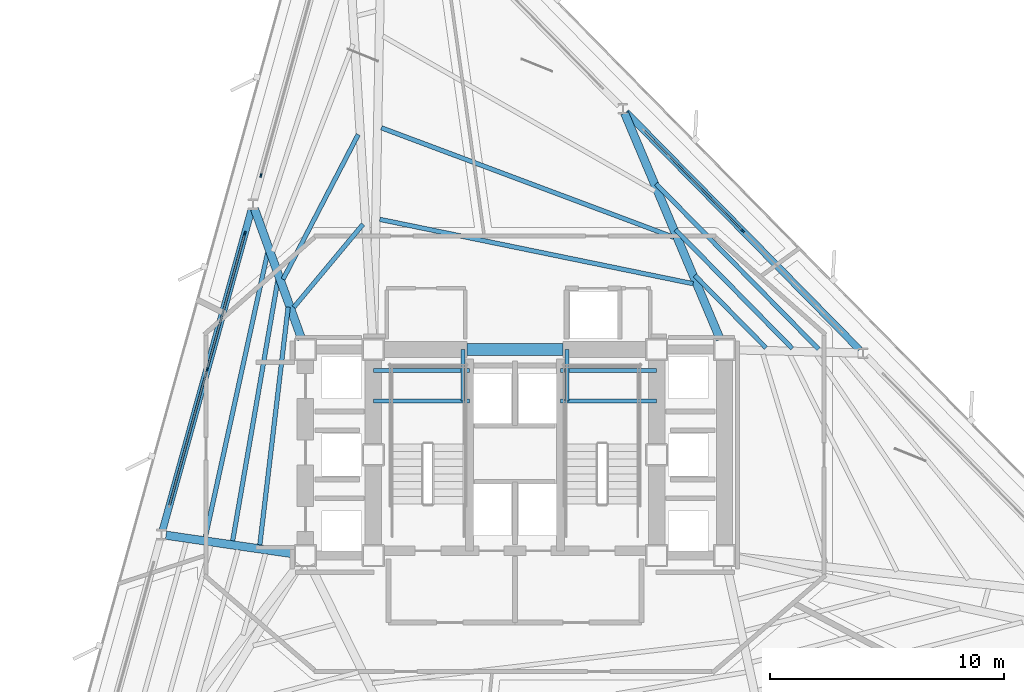
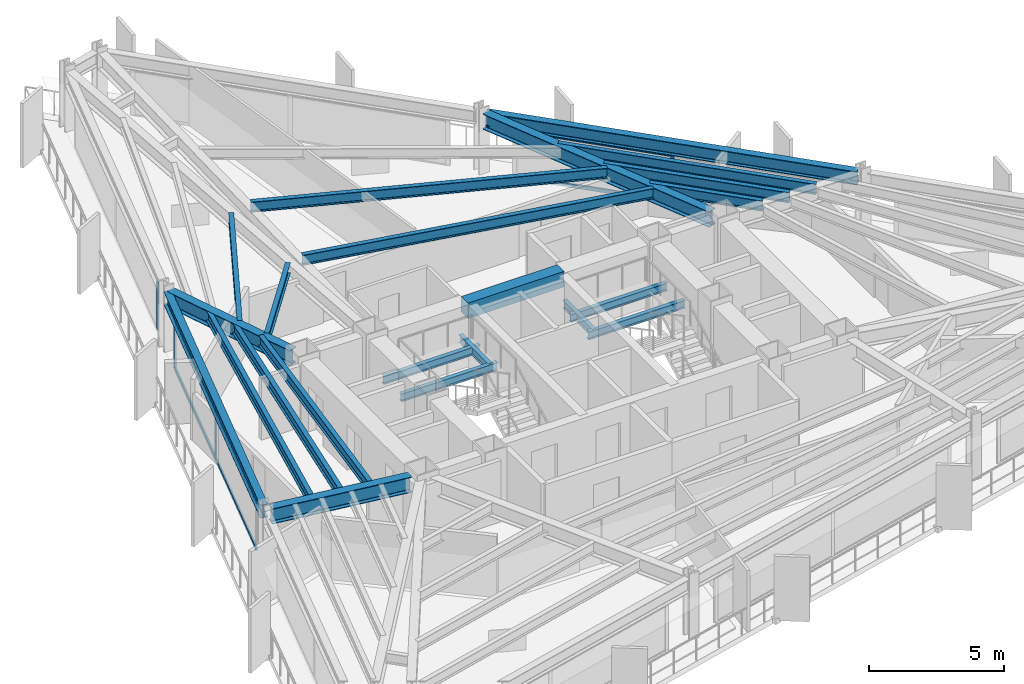
# One storey, part 3 of 11: 22 beams, 10 members, 3 elements without a shape of their own.
"""IFC4 building model written with IfcOpenShell, lengths in metres."""

from ifc_helpers import new_model, si_unit, direction, frame, origin, origin_2d, place, context, subcontext, project, spatial, rectangle, i_section, extrude, material, layer, layer_set, material_profile, profile_set, type_object, element, aggregate, save


model = new_model("IFC4")

# Units and contexts
model_context = context("Model", 3, precision=1e-05, world=origin(), true_north=direction((0.0, 1.0)))
body_context = subcontext(model_context, "Body", "Model", "MODEL_VIEW")
ifc_project = project(units=[si_unit("LENGTHUNIT", "METRE"), si_unit("AREAUNIT", "SQUARE_METRE"), si_unit("VOLUMEUNIT", "CUBIC_METRE"), si_unit("PLANEANGLEUNIT", "RADIAN"), si_unit("MASSUNIT", "GRAM", prefix="KILO")], contexts=[model_context])

# Site, building, storey
site_placement = place(None, origin())
site = spatial("IfcSite", under=ifc_project, at=site_placement, CompositionType="ELEMENT")
building_placement = place(site_placement, origin())
building = spatial("IfcBuilding", under=site, at=building_placement, Name="Rocaltana Carrier Exchange", CompositionType="ELEMENT")
storey_placement = place(building_placement, frame((0.0, 0.0, 85.60009765625)))
storey = spatial("IfcBuildingStorey", under=building, at=storey_placement, Name="L26", CompositionType="ELEMENT", Elevation=85.60009765625)

# Curtain wall, member
ifc_material_1 = material(Name="Aluminium 6063-T6", Category="aluminium")
ifc_layer = layer(ifc_material_1, 0.1650390625)
ifc_layer_set = layer_set([ifc_layer], Name="Aluminium 6063-T6")
curtain_wall_type = type_object("IfcCurtainWallType", Name="Lower-Mid Stepped Curtain Wall CW-02", PredefinedType="NOTDEFINED", material=ifc_layer_set)
curtain_wall_1_placement = place(storey_placement, origin())
curtain_wall_1 = element("IfcCurtainWall", 1, at=curtain_wall_1_placement, inside=storey, type_object=curtain_wall_type, Name="L26 CW-02 Run CW-L26-F1S2", PredefinedType="NOTDEFINED")
ifc_material_2 = material(Name="Aluminium 6063-T6", Category="aluminium")
ifc_material_profile_1 = material_profile(ifc_material_2, rectangle(XDim=0.06494140625, YDim=0.1650390625, at=origin_2d()), Name="AL-65X165")
ifc_profile_set_1 = profile_set([ifc_material_profile_1], Name="Aluminium 6063-T6")
member_type_1 = type_object("IfcMemberType", Name="CW-02 Mullion AL-65X165", PredefinedType="MULLION", material=ifc_profile_set_1)
member_1_placement = place(storey_placement, frame((9.732666015625, 9.564453125, 0.0), z_axis=(0.0, 0.0, 1.0), x_axis=(-0.713244696676, -0.700915118017, 0.0)))
member_1 = element("IfcMember", 2, at=member_1_placement, type_object=member_type_1, Name="CW-02 mullion 2", PredefinedType="MULLION", context=body_context, shape_type="SweptSolid", body=[
    extrude(rectangle(XDim=0.06494140625, YDim=0.1650390625, at=origin_2d()), origin(), (0.0, 0.0, 1.0), 2.16796875),
])

curtain_wall_2_placement = place(storey_placement, origin())
curtain_wall_2 = element("IfcCurtainWall", 3, at=curtain_wall_2_placement, inside=storey, type_object=curtain_wall_type, Name="L26 CW-02 Run CW-L26-F2S1", PredefinedType="NOTDEFINED")
member_2_placement = place(storey_placement, frame((-10.851318359375, 11.93310546875, 0.0), z_axis=(0.0, 0.0, 1.0), x_axis=(0.96362846453, -0.267245546918, 0.0)))
member_2 = element("IfcMember", 4, at=member_2_placement, type_object=member_type_1, Name="CW-02 mullion 3", PredefinedType="MULLION", context=body_context, shape_type="SweptSolid", body=[
    extrude(rectangle(XDim=0.06494140625, YDim=0.1650390625, at=origin_2d()), origin(), (0.0, 0.0, 1.0), 2.16796875),
])
aggregate(curtain_wall_2, [member_2])

# Curtain wall, members
curtain_wall_3_placement = place(storey_placement, origin())
curtain_wall_3 = element("IfcCurtainWall", 5, at=curtain_wall_3_placement, inside=storey, type_object=curtain_wall_type, Name="L26 CW-02 Run CW-L26-F2S2", PredefinedType="NOTDEFINED")
member_3_placement = place(storey_placement, frame((-11.536865234375, 9.46142578125, 0.0), z_axis=(0.0, 0.0, 1.0), x_axis=(0.963630586954, -0.267237893807, 0.0)))
member_3 = element("IfcMember", 6, at=member_3_placement, type_object=member_type_1, Name="CW-02 mullion 1", PredefinedType="MULLION", context=body_context, shape_type="SweptSolid", body=[
    extrude(rectangle(XDim=0.06494140625, YDim=0.1650390625, at=origin_2d()), origin(), (0.0, 0.0, 1.0), 2.16796875),
])
member_4_placement = place(storey_placement, frame((-13.1494140625, 3.646728515625, 0.0), z_axis=(0.0, 0.0, 1.0), x_axis=(0.963630586954, -0.267237893807, 0.0)))
member_4 = element("IfcMember", 7, at=member_4_placement, type_object=member_type_1, Name="CW-02 mullion 2", PredefinedType="MULLION", context=body_context, shape_type="SweptSolid", body=[
    extrude(rectangle(XDim=0.06494140625, YDim=0.1650390625, at=origin_2d()), origin(), (0.0, 0.0, 1.0), 2.16796875),
])

# Member
ifc_material_3 = material(Name="Aluminium 6063-T6", Category="aluminium")
ifc_material_profile_2 = material_profile(ifc_material_3, rectangle(XDim=0.06494140625, YDim=0.1650390625, at=origin_2d()), Name="AL-65X165")
ifc_profile_set_2 = profile_set([ifc_material_profile_2], Name="Aluminium 6063-T6")
member_type_2 = type_object("IfcMemberType", Name="CW-02 Transom AL-65X165", PredefinedType="USERDEFINED", material=ifc_profile_set_2)
member_5_placement = place(storey_placement, frame((9.7099609375, 9.587646484375, 0.032470703125), z_axis=(-0.700924352217, 0.713235621985, 0.0), x_axis=(-0.713235621985, -0.700924352217, 0.0)))
member_5 = element("IfcMember", 8, at=member_5_placement, type_object=member_type_2, Name="CW-02 transom 2.1", ObjectType="TRANSOM", PredefinedType="USERDEFINED", context=body_context, shape_type="SweptSolid", body=[
    extrude(rectangle(XDim=0.06494140625, YDim=0.1650390625, at=origin_2d()), origin(), (0.0, 0.0, 1.0), 5.968994140625),
])

member_6_placement = place(storey_placement, frame((9.7099609375, 9.587646484375, 2.135498046875), z_axis=(-0.700924352217, 0.713235621985, 0.0), x_axis=(-0.713235621985, -0.700924352217, 0.0)))
member_6 = element("IfcMember", 9, at=member_6_placement, type_object=member_type_2, Name="CW-02 transom 2.2", ObjectType="TRANSOM", PredefinedType="USERDEFINED", context=body_context, shape_type="SweptSolid", body=[
    extrude(rectangle(XDim=0.06494140625, YDim=0.1650390625, at=origin_2d()), origin(), (0.0, 0.0, 1.0), 5.968994140625),
])

aggregate(curtain_wall_1, [member_1, member_5, member_6])

member_7_placement = place(storey_placement, frame((-11.54541015625, 9.43017578125, 0.032470703125), z_axis=(-0.267236720875, -0.963630912235, 0.0), x_axis=(0.963630912235, -0.267236720875, 0.0)))
member_7 = element("IfcMember", 10, at=member_7_placement, type_object=member_type_2, Name="CW-02 transom 1.1", ObjectType="TRANSOM", PredefinedType="USERDEFINED", context=body_context, shape_type="SweptSolid", body=[
    extrude(rectangle(XDim=0.06494140625, YDim=0.1650390625, at=origin_2d()), origin(), (0.0, 0.0, 1.0), 5.96923828125),
])

member_8_placement = place(storey_placement, frame((-11.54541015625, 9.43017578125, 2.135498046875), z_axis=(-0.267236720875, -0.963630912235, 0.0), x_axis=(0.963630912235, -0.267236720875, 0.0)))
member_8 = element("IfcMember", 11, at=member_8_placement, type_object=member_type_2, Name="CW-02 transom 1.2", ObjectType="TRANSOM", PredefinedType="USERDEFINED", context=body_context, shape_type="SweptSolid", body=[
    extrude(rectangle(XDim=0.06494140625, YDim=0.1650390625, at=origin_2d()), origin(), (0.0, 0.0, 1.0), 5.96923828125),
])

member_9_placement = place(storey_placement, frame((-13.157958984375, 3.615234375, 0.032470703125), z_axis=(-0.26724725359, -0.963627991213, 0.0), x_axis=(0.963627991213, -0.26724725359, 0.0)))
member_9 = element("IfcMember", 12, at=member_9_placement, type_object=member_type_2, Name="CW-02 transom 2.1", ObjectType="TRANSOM", PredefinedType="USERDEFINED", context=body_context, shape_type="SweptSolid", body=[
    extrude(rectangle(XDim=0.06494140625, YDim=0.1650390625, at=origin_2d()), origin(), (0.0, 0.0, 1.0), 5.968994140625),
])

member_10_placement = place(storey_placement, frame((-13.157958984375, 3.615234375, 2.135498046875), z_axis=(-0.26724725359, -0.963627991213, 0.0), x_axis=(0.963627991213, -0.26724725359, 0.0)))
member_10 = element("IfcMember", 13, at=member_10_placement, type_object=member_type_2, Name="CW-02 transom 2.2", ObjectType="TRANSOM", PredefinedType="USERDEFINED", context=body_context, shape_type="SweptSolid", body=[
    extrude(rectangle(XDim=0.06494140625, YDim=0.1650390625, at=origin_2d()), origin(), (0.0, 0.0, 1.0), 5.968994140625),
])

aggregate(curtain_wall_3, [member_3, member_4, member_7, member_8, member_9, member_10])

# Beams
ifc_material_4 = material(Name="Concrete C60/75", Category="concrete")
ifc_material_profile_3 = material_profile(ifc_material_4, rectangle(XDim=0.5, YDim=0.699951171875, at=origin_2d()), Name="RC-BM-500X700")
ifc_profile_set_3 = profile_set([ifc_material_profile_3], Name="Concrete C60/75")
beam_type_1 = type_object("IfcBeamType", Name="Core Coupling Lintel 500x700", PredefinedType="LINTEL", material=ifc_profile_set_3)
beam_1_placement = place(storey_placement, frame((-2.050048828125, 4.5, 2.43798828125), z_axis=(1.0, 0.0, 0.0), x_axis=(0.0, 1.0, 0.0)))
element("IfcBeam", 14, at=beam_1_placement, inside=storey, type_object=beam_type_1, Name="L26 Core Coupling Lintel CL-N", PredefinedType="LINTEL", context=body_context, shape_type="SweptSolid", body=[
    extrude(rectangle(XDim=0.5, YDim=0.699951171875, at=origin_2d()), origin(), (0.0, 0.0, 1.0), 4.10009765625),
])
ifc_material_5 = material(Name="Steel S355", Category="steel")
ifc_material_profile_4 = material_profile(ifc_material_5, i_section(OverallWidth=0.172119140625, OverallDepth=0.35791015625, WebThickness=0.0078125, FlangeThickness=0.01318359375, FilletRadius=0.011962890625, at=origin_2d()), Name="W14X38")
ifc_profile_set_4 = profile_set([ifc_material_profile_4], Name="Steel S355")
beam_type_2 = type_object("IfcBeamType", Name="Floor Joist W14X38", PredefinedType="JOIST", material=ifc_profile_set_4)
for number, where, z_axis, x_axis, name in (
    (15, (-6.050048828125, 2.300048828125, 1.140869140625), (1.0, 0.0, 0.0), (0.0, 1.0, 0.0), "L26 ST-1 Landing Carrier 1"),
    (16, (1.93994140625, 2.300048828125, 1.140869140625), (1.0, 0.0, 0.0), (0.0, 1.0, 0.0), "L26 ST-2 Landing Carrier 1"),
    (17, (-6.050048828125, 3.60009765625, 1.140869140625), (1.0, 0.0, 0.0), (0.0, 1.0, 0.0), "L26 ST-1 Landing Carrier 2"),
    (18, (1.93994140625, 3.60009765625, 1.140869140625), (1.0, 0.0, 0.0), (0.0, 1.0, 0.0), "L26 ST-2 Landing Carrier 2"),
):
    element("IfcBeam", number, at=place(storey_placement, frame(where, z_axis=z_axis, x_axis=x_axis)), inside=storey, type_object=beam_type_2, Name=name, PredefinedType="JOIST", context=body_context, shape_type="SweptSolid", body=[
        extrude(i_section(OverallWidth=0.172119140625, OverallDepth=0.35791015625, WebThickness=0.0078125, FlangeThickness=0.01318359375, FilletRadius=0.011962890625, at=origin_2d()), origin(), (0.0, 0.0, 1.0), 4.110107421875),
    ])
for number, where, z_axis, x_axis, name in (
    (19, (-2.219970703125, 2.300048828125, 1.140869140625), (0.0, 1.0, 0.0), (-1.0, 0.0, 0.0), "L26 ST-1 Landing Cross Trimmer"),
    (20, (2.219970703125, 2.300048828125, 1.140869140625), (0.0, 1.0, 0.0), (-1.0, 0.0, 0.0), "L26 ST-2 Landing Cross Trimmer"),
):
    element("IfcBeam", number, at=place(storey_placement, frame(where, z_axis=z_axis, x_axis=x_axis)), inside=storey, type_object=beam_type_2, Name=name, PredefinedType="JOIST", context=body_context, shape_type="SweptSolid", body=[
        extrude(i_section(OverallWidth=0.172119140625, OverallDepth=0.35791015625, WebThickness=0.0078125, FlangeThickness=0.01318359375, FilletRadius=0.011962890625, at=origin_2d()), origin(), (0.0, 0.0, 1.0), 2.199951171875),
    ])
ifc_material_6 = material(Name="Steel S355", Category="steel")
ifc_material_profile_5 = material_profile(ifc_material_6, i_section(OverallWidth=0.193115234375, OverallDepth=0.466064453125, WebThickness=0.011474609375, FlangeThickness=0.01904296875, FilletRadius=0.013916015625, at=origin_2d()), Name="W18X65")
ifc_profile_set_5 = profile_set([ifc_material_profile_5], Name="Steel S355")
beam_type_3 = type_object("IfcBeamType", Name="Floor Joist W18X65", PredefinedType="JOIST", material=ifc_profile_set_5)
beam_2_placement = place(storey_placement, frame((10.72119140625, 4.572998046875, 2.554931640625), z_axis=(-0.700891063864, 0.713268334216, 0.0), x_axis=(-0.713268334216, -0.700891063864, 0.0)))
element("IfcBeam", 21, at=beam_2_placement, inside=storey, type_object=beam_type_3, Name="FJ-L26-02-1", PredefinedType="JOIST", context=body_context, shape_type="SweptSolid", body=[
    extrude(i_section(OverallWidth=0.193115234375, OverallDepth=0.466064453125, WebThickness=0.011474609375, FlangeThickness=0.01904296875, FilletRadius=0.013916015625, at=origin_2d()), origin(), (0.0, 0.0, 1.0), 4.339599609375),
])
beam_3_placement = place(storey_placement, frame((11.844482421875, 4.543701171875, 2.554931640625), z_axis=(-0.700907768136, 0.713251919427, 0.0), x_axis=(-0.713251919427, -0.700907768136, 0.0)))
element("IfcBeam", 22, at=beam_3_placement, inside=storey, type_object=beam_type_3, Name="FJ-L26-02-2", PredefinedType="JOIST", context=body_context, shape_type="SweptSolid", body=[
    extrude(i_section(OverallWidth=0.193115234375, OverallDepth=0.466064453125, WebThickness=0.011474609375, FlangeThickness=0.01904296875, FilletRadius=0.013916015625, at=origin_2d()), origin(), (0.0, 0.0, 1.0), 7.1201171875),
])
beam_4_placement = place(storey_placement, frame((12.967529296875, 4.514404296875, 2.554931640625), z_axis=(-0.700914872746, 0.713244937706, 0.0), x_axis=(-0.713244937706, -0.700914872746, 0.0)))
element("IfcBeam", 23, at=beam_4_placement, inside=storey, type_object=beam_type_3, Name="FJ-L26-02-3", PredefinedType="JOIST", context=body_context, shape_type="SweptSolid", body=[
    extrude(i_section(OverallWidth=0.193115234375, OverallDepth=0.466064453125, WebThickness=0.011474609375, FlangeThickness=0.01904296875, FilletRadius=0.013916015625, at=origin_2d()), origin(), (0.0, 0.0, 1.0), 9.900146484375),
])
beam_5_placement = place(storey_placement, frame((7.608642578125, 7.310791015625, 2.554931640625), z_axis=(-0.979548911699, 0.201206186758, 0.0), x_axis=(-0.201206186758, -0.979548911699, 0.0)))
element("IfcBeam", 24, at=beam_5_placement, inside=storey, type_object=beam_type_3, Name="FJ-L26-03-1", PredefinedType="JOIST", context=body_context, shape_type="SweptSolid", body=[
    extrude(i_section(OverallWidth=0.193115234375, OverallDepth=0.466064453125, WebThickness=0.011474609375, FlangeThickness=0.01904296875, FilletRadius=0.013916015625, at=origin_2d()), origin(), (0.0, 0.0, 1.0), 13.66259765625),
])
beam_6_placement = place(storey_placement, frame((6.790283203125, 9.290283203125, 2.554931640625), z_axis=(-0.936459936045, 0.35077455464, 0.0), x_axis=(-0.35077455464, -0.936459936045, 0.0)))
element("IfcBeam", 25, at=beam_6_placement, inside=storey, type_object=beam_type_3, Name="FJ-L26-03-2", PredefinedType="JOIST", context=body_context, shape_type="SweptSolid", body=[
    extrude(i_section(OverallWidth=0.193115234375, OverallDepth=0.466064453125, WebThickness=0.011474609375, FlangeThickness=0.01904296875, FilletRadius=0.013916015625, at=origin_2d()), origin(), (0.0, 0.0, 1.0), 13.344482421875),
])
beam_7_placement = place(storey_placement, frame((-6.492919921875, 9.848876953125, 2.554931640625), z_axis=(-0.640163577039, -0.768238631307, 0.0), x_axis=(0.768238631307, -0.640163577039, 0.0)))
element("IfcBeam", 26, at=beam_7_placement, inside=storey, type_object=beam_type_3, Name="FJ-L26-05-1", PredefinedType="JOIST", context=body_context, shape_type="SweptSolid", body=[
    extrude(i_section(OverallWidth=0.193115234375, OverallDepth=0.466064453125, WebThickness=0.011474609375, FlangeThickness=0.01904296875, FilletRadius=0.013916015625, at=origin_2d()), origin(), (0.0, 0.0, 1.0), 4.613037109375),
])
beam_8_placement = place(storey_placement, frame((-6.6962890625, 13.68505859375, 2.554931640625), z_axis=(-0.46048496637, -0.887667502924, 0.0), x_axis=(0.887667502924, -0.46048496637, 0.0)))
element("IfcBeam", 27, at=beam_8_placement, inside=storey, type_object=beam_type_3, Name="FJ-L26-05-2", PredefinedType="JOIST", context=body_context, shape_type="SweptSolid", body=[
    extrude(i_section(OverallWidth=0.193115234375, OverallDepth=0.466064453125, WebThickness=0.011474609375, FlangeThickness=0.01904296875, FilletRadius=0.013916015625, at=origin_2d()), origin(), (0.0, 0.0, 1.0), 6.96435546875),
])
beam_9_placement = place(storey_placement, frame((-9.6884765625, 6.312744140625, 2.554931640625), z_axis=(-0.118374284941, -0.992969047184, 0.0), x_axis=(0.992969047184, -0.118374284941, 0.0)))
element("IfcBeam", 28, at=beam_9_placement, inside=storey, type_object=beam_type_3, Name="FJ-L26-06-1", PredefinedType="JOIST", context=body_context, shape_type="SweptSolid", body=[
    extrude(i_section(OverallWidth=0.193115234375, OverallDepth=0.466064453125, WebThickness=0.011474609375, FlangeThickness=0.01904296875, FilletRadius=0.013916015625, at=origin_2d()), origin(), (0.0, 0.0, 1.0), 10.227783203125),
])
beam_10_placement = place(storey_placement, frame((-10.123779296875, 7.49169921875, 2.554931640625), z_axis=(-0.170820187973, -0.985302219312, 0.0), x_axis=(0.985302219312, -0.170820187973, 0.0)))
element("IfcBeam", 29, at=beam_10_placement, inside=storey, type_object=beam_type_3, Name="FJ-L26-06-2", PredefinedType="JOIST", context=body_context, shape_type="SweptSolid", body=[
    extrude(i_section(OverallWidth=0.193115234375, OverallDepth=0.466064453125, WebThickness=0.011474609375, FlangeThickness=0.01904296875, FilletRadius=0.013916015625, at=origin_2d()), origin(), (0.0, 0.0, 1.0), 11.332275390625),
])
beam_11_placement = place(storey_placement, frame((-10.5576171875, 8.67041015625, 2.554931640625), z_axis=(-0.213747702255, -0.976888898381, 0.0), x_axis=(0.976888898381, -0.213747702255, 0.0)))
element("IfcBeam", 30, at=beam_11_placement, inside=storey, type_object=beam_type_3, Name="FJ-L26-06-3", PredefinedType="JOIST", context=body_context, shape_type="SweptSolid", body=[
    extrude(i_section(OverallWidth=0.193115234375, OverallDepth=0.466064453125, WebThickness=0.011474609375, FlangeThickness=0.01904296875, FilletRadius=0.013916015625, at=origin_2d()), origin(), (0.0, 0.0, 1.0), 12.463623046875),
])
ifc_material_7 = material(Name="Steel S355", Category="steel")
ifc_material_profile_6 = material_profile(ifc_material_7, i_section(OverallWidth=0.35498046875, OverallDepth=0.695068359375, WebThickness=0.015380859375, FlangeThickness=0.02490234375, FilletRadius=0.01806640625, at=origin_2d()), Name="W27X146")
ifc_profile_set_6 = profile_set([ifc_material_profile_6], Name="Steel S355")
beam_type_4 = type_object("IfcBeamType", Name="Radial Girder W27X146", PredefinedType="BEAM", material=ifc_profile_set_6)
beam_12_placement = place(storey_placement, frame((8.768310546875, 4.93017578125, 2.4404296875), z_axis=(-0.389276478426, 0.921120960213, 0.0), x_axis=(-0.921120960213, -0.389276478426, 0.0)))
element("IfcBeam", 31, at=beam_12_placement, inside=storey, type_object=beam_type_4, Name="RG-L26-03", PredefinedType="BEAM", context=body_context, shape_type="SweptSolid", body=[
    extrude(i_section(OverallWidth=0.35498046875, OverallDepth=0.695068359375, WebThickness=0.015380859375, FlangeThickness=0.02490234375, FilletRadius=0.01806640625, at=origin_2d()), origin(), (0.0, 0.0, 1.0), 10.49560546875),
])
beam_13_placement = place(storey_placement, frame((-9.10888671875, 4.939208984375, 2.4404296875), z_axis=(-0.340508311046, 0.940241506268, 0.0), x_axis=(-0.940241506268, -0.340508311046, 0.0)))
element("IfcBeam", 32, at=beam_13_placement, inside=storey, type_object=beam_type_4, Name="RG-L26-06", PredefinedType="BEAM", context=body_context, shape_type="SweptSolid", body=[
    extrude(i_section(OverallWidth=0.35498046875, OverallDepth=0.695068359375, WebThickness=0.015380859375, FlangeThickness=0.02490234375, FilletRadius=0.01806640625, at=origin_2d()), origin(), (0.0, 0.0, 1.0), 5.923095703125),
])
beam_14_placement = place(storey_placement, frame((-9.412109375, -4.232666015625, 2.4404296875), z_axis=(-0.989567752524, 0.1440682587, 0.0), x_axis=(-0.1440682587, -0.989567752524, 0.0)))
element("IfcBeam", 33, at=beam_14_placement, inside=storey, type_object=beam_type_4, Name="RG-L26-07", PredefinedType="BEAM", context=body_context, shape_type="SweptSolid", body=[
    extrude(i_section(OverallWidth=0.35498046875, OverallDepth=0.695068359375, WebThickness=0.015380859375, FlangeThickness=0.02490234375, FilletRadius=0.01806640625, at=origin_2d()), origin(), (0.0, 0.0, 1.0), 5.551513671875),
])
ifc_material_8 = material(Name="Steel S355", Category="steel")
ifc_material_profile_7 = material_profile(ifc_material_8, i_section(OverallWidth=0.300048828125, OverallDepth=0.60009765625, WebThickness=0.015380859375, FlangeThickness=0.030029296875, FilletRadius=0.027099609375, at=origin_2d()), Name="HEB600")
ifc_profile_set_7 = profile_set([ifc_material_profile_7], Name="Steel S355")
beam_type_5 = type_object("IfcBeamType", Name="Spandrel Edge Beam HEB600", PredefinedType="SPANDREL", material=ifc_profile_set_7)
beam_15_placement = place(storey_placement, frame((14.72021484375, 4.489013671875, 2.48779296875), z_axis=(-0.700903992089, 0.713255630103, 0.0), x_axis=(-0.713255630103, -0.700903992089, 0.0)))
element("IfcBeam", 34, at=beam_15_placement, inside=storey, type_object=beam_type_5, Name="SP-L26-02", PredefinedType="SPANDREL", context=body_context, shape_type="SweptSolid", body=[
    extrude(i_section(OverallWidth=0.300048828125, OverallDepth=0.60009765625, WebThickness=0.015380859375, FlangeThickness=0.030029296875, FilletRadius=0.027099609375, at=origin_2d()), origin(), (0.0, 0.0, 1.0), 14.2314453125),
])
beam_16_placement = place(storey_placement, frame((-11.247802734375, 10.50341796875, 2.48779296875), z_axis=(-0.267228866317, -0.963633090448, 0.0), x_axis=(0.963633090448, -0.267228866317, 0.0)))
element("IfcBeam", 35, at=beam_16_placement, inside=storey, type_object=beam_type_5, Name="SP-L26-06", PredefinedType="SPANDREL", context=body_context, shape_type="SweptSolid", body=[
    extrude(i_section(OverallWidth=0.300048828125, OverallDepth=0.60009765625, WebThickness=0.015380859375, FlangeThickness=0.030029296875, FilletRadius=0.027099609375, at=origin_2d()), origin(), (0.0, 0.0, 1.0), 14.231201171875),
])

save(model, "model.ifc")
